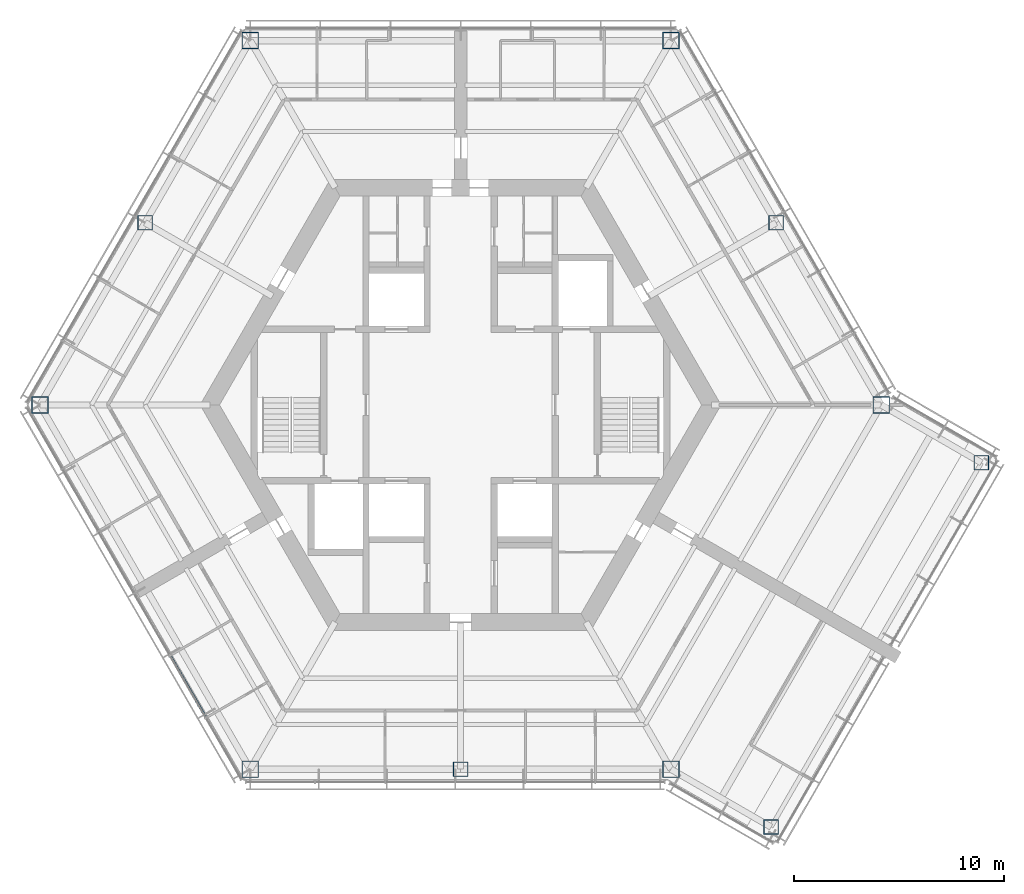
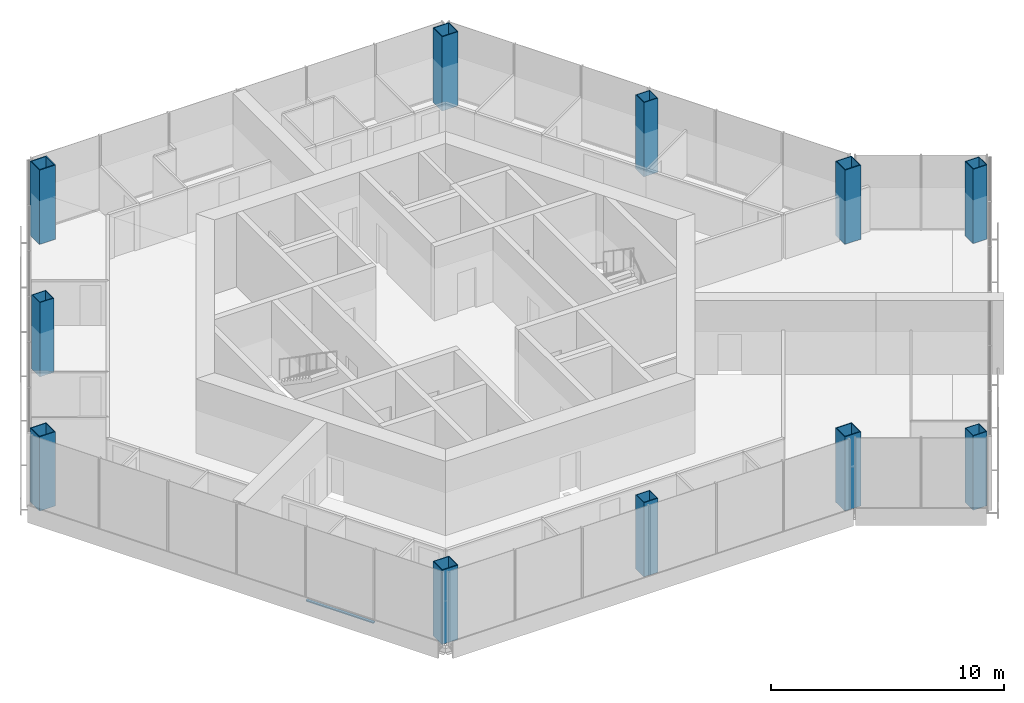
# One storey, part 1 of 13: 11 columns, 1 member, 1 element without a shape of its own.
"""IFC4 building model written with IfcOpenShell, lengths in metres."""

from ifc_helpers import new_model, si_unit, direction, frame, origin, origin_2d, place, context, subcontext, project, spatial, rectangle, hollow_rectangle, extrude, material, material_profile, profile_set, type_object, element, aggregate, save


model = new_model("IFC4")

# Units and contexts
model_context = context("Model", 3, precision=1e-05, world=origin(), true_north=direction((0.0, 1.0)))
body_context = subcontext(model_context, "Body", "Model", "MODEL_VIEW")
ifc_project = project(units=[si_unit("LENGTHUNIT", "METRE"), si_unit("AREAUNIT", "SQUARE_METRE"), si_unit("VOLUMEUNIT", "CUBIC_METRE"), si_unit("PLANEANGLEUNIT", "RADIAN"), si_unit("MASSUNIT", "GRAM", prefix="KILO")], contexts=[model_context])

# Site, building, storey
site_placement = place(None, origin())
site = spatial("IfcSite", under=ifc_project, at=site_placement, CompositionType="ELEMENT")
building_placement = place(site_placement, origin())
building = spatial("IfcBuilding", under=site, at=building_placement, Name="Kasaneha Research Tower", CompositionType="ELEMENT")
storey_placement = place(building_placement, frame((0.0, 0.0, 298.60009765625)))
storey = spatial("IfcBuildingStorey", under=building, at=storey_placement, Name="L75", CompositionType="ELEMENT", Elevation=298.60009765625)

# Columns
ifc_material_1 = material(Name="Steel SN490C", Category="steel")
ifc_material_profile_1 = material_profile(ifc_material_1, hollow_rectangle(XDim=0.800048828125, YDim=0.800048828125, WallThickness=0.0400390625, at=origin_2d()), Name="BOX-800x800x40")
ifc_profile_set_1 = profile_set([ifc_material_profile_1], Name="Steel SN490C")
column_type_1 = type_object("IfcColumnType", Name="C4A column BOX-800x800x40", PredefinedType="COLUMN", material=ifc_profile_set_1)
for number, where, z_axis, x_axis, name in (
    (1, (20.0, 0.0, 0.0), (0.0, 0.0, 1.0), (1.0, 0.0, 0.0), "Column V0 L75"),
    (2, (10.0, 17.320556640625, 0.0), (0.0, 0.0, 1.0), (1.0, 0.0, 0.0), "Column V1 L75"),
    (3, (-10.0, 17.320556640625, 0.0), (0.0, 0.0, 1.0), (1.0, 0.0, 0.0), "Column V2 L75"),
    (4, (-20.0, 0.0, 0.0), (0.0, 0.0, 1.0), (1.0, 0.0, 0.0), "Column V3 L75"),
    (5, (-10.0, -17.320556640625, 0.0), (0.0, 0.0, 1.0), (1.0, 0.0, 0.0), "Column V4 L75"),
    (6, (10.0, -17.320556640625, 0.0), (0.0, 0.0, 1.0), (1.0, 0.0, 0.0), "Column V5 L75"),
):
    element("IfcColumn", number, at=place(storey_placement, frame(where, z_axis=z_axis, x_axis=x_axis)), inside=storey, type_object=column_type_1, Name=name, PredefinedType="COLUMN", context=body_context, shape_type="SweptSolid", body=[
        extrude(hollow_rectangle(XDim=0.800048828125, YDim=0.800048828125, WallThickness=0.0400390625, at=origin_2d()), origin(), (0.0, 0.0, 1.0), 3.89990234375),
    ])
ifc_material_2 = material(Name="Steel SN490C", Category="steel")
ifc_material_profile_2 = material_profile(ifc_material_2, hollow_rectangle(XDim=0.699951171875, YDim=0.699951171875, WallThickness=0.031982421875, at=origin_2d()), Name="BOX-700x700x32")
ifc_profile_set_2 = profile_set([ifc_material_profile_2], Name="Steel SN490C")
column_type_2 = type_object("IfcColumnType", Name="C4B column BOX-700x700x32", PredefinedType="COLUMN", material=ifc_profile_set_2)
for number, where, z_axis, x_axis, name in (
    (7, (15.0, 8.66015625, 0.0), (0.0, 0.0, 1.0), (1.0, 0.0, 0.0), "Column M030 L75"),
    (8, (-15.0, 8.66015625, 0.0), (0.0, 0.0, 1.0), (1.0, 0.0, 0.0), "Column M150 L75"),
    (9, (0.0, -17.320556640625, 0.0), (0.0, 0.0, 1.0), (1.0, 0.0, 0.0), "Column M270 L75"),
    (10, (14.76318359375, -20.070556640625, 0.0), (0.0, 0.0, 1.0), (1.0, 0.0, 0.0), "Column CSP L75"),
    (11, (24.76318359375, -2.75, 0.0), (0.0, 0.0, 1.0), (1.0, 0.0, 0.0), "Column CSN L75"),
):
    element("IfcColumn", number, at=place(storey_placement, frame(where, z_axis=z_axis, x_axis=x_axis)), inside=storey, type_object=column_type_2, Name=name, PredefinedType="COLUMN", context=body_context, shape_type="SweptSolid", body=[
        extrude(hollow_rectangle(XDim=0.699951171875, YDim=0.699951171875, WallThickness=0.031982421875, at=origin_2d()), origin(), (0.0, 0.0, 1.0), 3.89990234375),
    ])

# Curtain wall, member
ifc_material_3 = material(Name="Glass and aluminium", Category="aluminium")
curtain_wall_type = type_object("IfcCurtainWallType", Name="Crown curtain wall", PredefinedType="USERDEFINED", material=ifc_material_3)
curtain_wall_placement = place(storey_placement, origin())
curtain_wall = element("IfcCurtainWall", 12, at=curtain_wall_placement, inside=storey, type_object=curtain_wall_type, Name="CW-C L75 run 04a", ObjectType="UNITISED CURTAIN WALL", PredefinedType="USERDEFINED")
ifc_material_4 = material(Name="Aluminium 6063-T6", Category="aluminium")
ifc_material_profile_3 = material_profile(ifc_material_4, rectangle(XDim=0.1298828125, YDim=0.06005859375, at=origin_2d()), Name="CW-C transom 130x60")
ifc_profile_set_3 = profile_set([ifc_material_profile_3], Name="Aluminium 6063-T6")
member_type = type_object("IfcMemberType", Name="CW-C transom", PredefinedType="USERDEFINED", material=ifc_profile_set_3)
member_placement = place(storey_placement, frame((-13.796875, -11.944091796875, 0.02978515625), z_axis=(0.499989072476, -0.866031712701, 0.0), x_axis=(0.866031712701, 0.499989072476, 0.0)))
member = element("IfcMember", 13, at=member_placement, type_object=member_type, Name="CW-C transom 5", ObjectType="TRANSOM", PredefinedType="USERDEFINED", context=body_context, shape_type="SweptSolid", body=[
    extrude(rectangle(XDim=0.1298828125, YDim=0.06005859375, at=origin_2d()), origin(), (0.0, 0.0, 1.0), 3.35546875),
])
aggregate(curtain_wall, [member])

save(model, "model.ifc")
